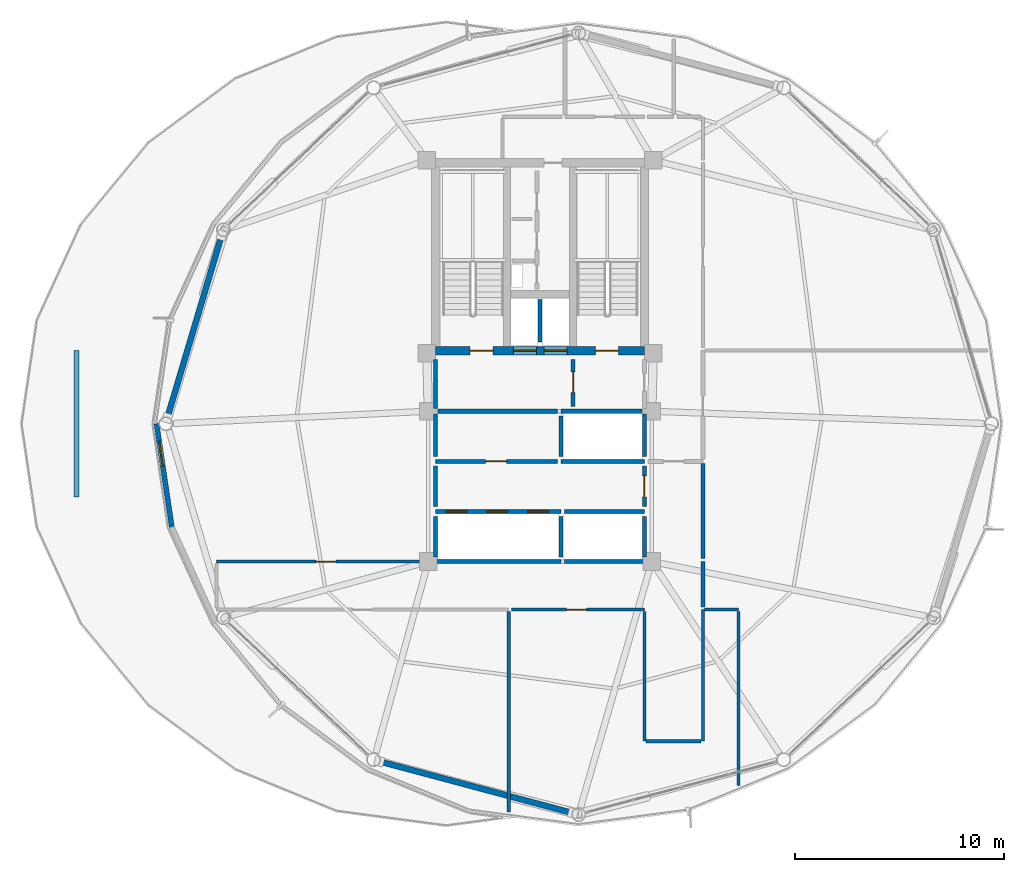
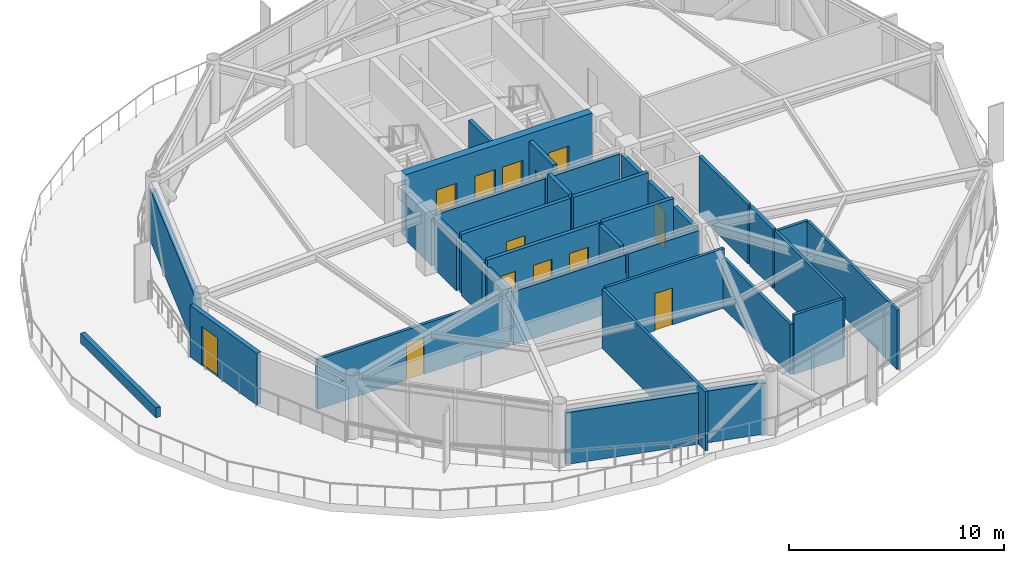
# One storey, part 20 of 25: 34 walls, 13 doors, 13 openings.
"""IFC4 building model written with IfcOpenShell, lengths in metres."""

from ifc_helpers import new_model, si_unit, direction, frame, frame_2d, origin, place, context, subcontext, project, spatial, rectangle, extrude, material, layer, layer_set, type_object, element, fill, save


model = new_model("IFC4")

# Units and contexts
model_context = context("Model", 3, precision=1e-05, world=origin(), true_north=direction((0.0, 1.0)))
body_context = subcontext(model_context, "Body", "Model", "MODEL_VIEW")
ifc_project = project(units=[si_unit("LENGTHUNIT", "METRE"), si_unit("AREAUNIT", "SQUARE_METRE"), si_unit("VOLUMEUNIT", "CUBIC_METRE"), si_unit("PLANEANGLEUNIT", "RADIAN"), si_unit("MASSUNIT", "GRAM", prefix="KILO")], contexts=[model_context])

# Site, building, storey
site_placement = place(None, origin())
site = spatial("IfcSite", under=ifc_project, at=site_placement, CompositionType="ELEMENT")
building_placement = place(site_placement, origin())
building = spatial("IfcBuilding", under=site, at=building_placement, Name="Varnakorn Sky Granary", CompositionType="ELEMENT")
storey_placement = place(building_placement, frame((0.0, 0.0, 178.800048828125)))
storey = spatial("IfcBuildingStorey", under=building, at=storey_placement, Name="L44", CompositionType="ELEMENT", Elevation=178.800048828125)

# Wall, openings, doors
ifc_material_1 = material(Name="Concrete C50/60", Category="concrete")
ifc_layer_1 = layer(ifc_material_1, 0.39990234375, Name="Concrete C50/60")
ifc_layer_set_1 = layer_set([ifc_layer_1], Name="Concrete C50/60")
wall_type_1 = type_object("IfcWallType", Name="WT-CW-SHEAR-400", PredefinedType="SHEAR", material=ifc_layer_set_1)
wall_1_placement = place(storey_placement, frame((-2.0, 3.5, 0.0), z_axis=(0.0, 0.0, 1.0), x_axis=(1.0, 0.0, 0.0)))
wall_1 = element("IfcWall", 1, at=wall_1_placement, inside=storey, type_object=wall_type_1, Name="Core South Shear Wall L44", PredefinedType="SHEAR", context=body_context, shape_type="SweptSolid", body=[
    extrude(rectangle(XDim=10.0, YDim=0.39990234375, at=frame_2d((5.0, 0.0))), origin(), (0.0, 0.0, 1.0), 3.592041015625),
])
opening_1_placement = place(wall_1_placement, frame((1.64990234375, 0.0, 0.0)))
opening_1 = element("IfcOpeningElement", 2, at=opening_1_placement, cuts=wall_1, Name="Opening FD-90", PredefinedType="OPENING", context=body_context, shape_type="SweptSolid", body=[
    extrude(rectangle(XDim=1.10009765625, YDim=2.14990234375, at=frame_2d((0.550048828125, 1.074951171875))), frame((0.0, 0.2099609375, 0.0), z_axis=(0.0, -1.0, 0.0), x_axis=(1.0, 0.0, 0.0)), (0.0, 0.0, 1.0), 0.419921875),
])
opening_2_placement = place(wall_1_placement, frame((7.64990234375, 0.0, 0.0)))
opening_2 = element("IfcOpeningElement", 3, at=opening_2_placement, cuts=wall_1, Name="Opening FD-90", PredefinedType="OPENING", context=body_context, shape_type="SweptSolid", body=[
    extrude(rectangle(XDim=1.10009765625, YDim=2.14990234375, at=frame_2d((0.550048828125, 1.074951171875))), frame((0.0, 0.2099609375, 0.0), z_axis=(0.0, -1.0, 0.0), x_axis=(1.0, 0.0, 0.0)), (0.0, 0.0, 1.0), 0.419921875),
])
opening_3_placement = place(wall_1_placement, frame((3.719970703125, 0.0, 0.0)))
opening_3 = element("IfcOpeningElement", 4, at=opening_3_placement, cuts=wall_1, Name="Opening LD-01", PredefinedType="OPENING", context=body_context, shape_type="SweptSolid", body=[
    extrude(rectangle(XDim=1.10009765625, YDim=2.199951171875, at=frame_2d((0.550048828125, 1.10009765625))), frame((0.0, 0.2099609375, 0.0), z_axis=(0.0, -1.0, 0.0), x_axis=(1.0, 0.0, 0.0)), (0.0, 0.0, 1.0), 0.419921875),
])
opening_4_placement = place(wall_1_placement, frame((5.179931640625, 0.0, 0.0)))
opening_4 = element("IfcOpeningElement", 5, at=opening_4_placement, cuts=wall_1, Name="Opening LD-01", PredefinedType="OPENING", context=body_context, shape_type="SweptSolid", body=[
    extrude(rectangle(XDim=1.10009765625, YDim=2.199951171875, at=frame_2d((0.550048828125, 1.10009765625))), frame((0.0, 0.2099609375, 0.0), z_axis=(0.0, -1.0, 0.0), x_axis=(1.0, 0.0, 0.0)), (0.0, 0.0, 1.0), 0.419921875),
])
ifc_material_2 = material(Name="Brushed Bronze Stainless Steel", Category="steel")
door_type_1 = type_object("IfcDoorType", Name="DR-LD-1100", OperationType="DOUBLE_DOOR_SLIDING", PredefinedType="DOOR", material=ifc_material_2)
door_1_placement = place(opening_3_placement, origin())
door_1 = element("IfcDoor", 6, at=door_1_placement, inside=storey, type_object=door_type_1, Name="Firefighting Lift FFL-1 Landing Door L44", OperationType="DOUBLE_DOOR_SLIDING", OverallHeight=2.199951171875, OverallWidth=1.10009765625, PredefinedType="DOOR", context=body_context, shape_type="SweptSolid", body=[
    extrude(rectangle(XDim=1.10009765625, YDim=2.199951171875, at=frame_2d((0.550048828125, 1.10009765625))), frame((0.0, 0.02490234375, 0.0), z_axis=(0.0, -1.0, 0.0), x_axis=(1.0, 0.0, 0.0)), (0.0, 0.0, 1.0), 0.050048828125),
])
fill(opening_3, door_1)
door_2_placement = place(opening_4_placement, origin())
door_2 = element("IfcDoor", 7, at=door_2_placement, inside=storey, type_object=door_type_1, Name="Firefighting Lift FFL-2 Landing Door L44", OperationType="DOUBLE_DOOR_SLIDING", OverallHeight=2.199951171875, OverallWidth=1.10009765625, PredefinedType="DOOR", context=body_context, shape_type="SweptSolid", body=[
    extrude(rectangle(XDim=1.10009765625, YDim=2.199951171875, at=frame_2d((0.550048828125, 1.10009765625))), frame((0.0, 0.02490234375, 0.0), z_axis=(0.0, -1.0, 0.0), x_axis=(1.0, 0.0, 0.0)), (0.0, 0.0, 1.0), 0.050048828125),
])
fill(opening_4, door_2)
ifc_material_3 = material(Name="Galvanised Painted Steel Leaf", Category="steel")
door_type_2 = type_object("IfcDoorType", Name="DR-STAIR-1100", OperationType="NOTDEFINED", PredefinedType="DOOR", material=ifc_material_3)
door_3_placement = place(opening_1_placement, origin())
door_3 = element("IfcDoor", 8, at=door_3_placement, inside=storey, type_object=door_type_2, Name="Stair ST-1 Protected Fire Door L44", OperationType="SINGLE_SWING_LEFT", OverallHeight=2.14990234375, OverallWidth=1.10009765625, PredefinedType="DOOR", context=body_context, shape_type="SweptSolid", body=[
    extrude(rectangle(XDim=1.10009765625, YDim=2.14990234375, at=frame_2d((0.550048828125, 1.074951171875))), frame((0.0, 0.02490234375, 0.0), z_axis=(0.0, -1.0, 0.0), x_axis=(1.0, 0.0, 0.0)), (0.0, 0.0, 1.0), 0.050048828125),
])
fill(opening_1, door_3)
door_4_placement = place(opening_2_placement, origin())
door_4 = element("IfcDoor", 9, at=door_4_placement, inside=storey, type_object=door_type_2, Name="Stair ST-2 Protected Fire Door L44", OperationType="SINGLE_SWING_RIGHT", OverallHeight=2.14990234375, OverallWidth=1.10009765625, PredefinedType="DOOR", context=body_context, shape_type="SweptSolid", body=[
    extrude(rectangle(XDim=1.10009765625, YDim=2.14990234375, at=frame_2d((0.550048828125, 1.074951171875))), frame((0.0, 0.02490234375, 0.0), z_axis=(0.0, -1.0, 0.0), x_axis=(1.0, 0.0, 0.0)), (0.0, 0.0, 1.0), 0.050048828125),
])
fill(opening_2, door_4)

# Wall, opening, door
ifc_material_4 = material(Name="Precast concrete C40/50", Category="concrete")
ifc_layer_2 = layer(ifc_material_4, 0.239990234375, Name="Precast concrete C40/50")
ifc_layer_set_2 = layer_set([ifc_layer_2], Name="Precast concrete C40/50")
wall_type_2 = type_object("IfcWallType", Name="WT-EW-BAL-260", PredefinedType="SOLIDWALL", material=ifc_layer_set_2)
wall_2_placement = place(storey_placement, frame((-14.6298828125, -4.943603515625, 0.0), z_axis=(0.0, 0.0, 1.0), x_axis=(-0.146507939816, 0.989209494279, 0.0)))
wall_2 = element("IfcWall", 10, at=wall_2_placement, inside=storey, type_object=wall_type_2, Name="Balcony Threshold Facade Wall L44-B07A", PredefinedType="SOLIDWALL", context=body_context, shape_type="SweptSolid", body=[
    extrude(rectangle(XDim=4.99755859375, YDim=0.239990234375, at=frame_2d((2.498779296875, 0.0))), origin(), (0.0, 0.0, 1.0), 2.929931640625),
])
opening_5_placement = place(wall_2_placement, frame((2.947998046875, 0.0, 0.0)))
opening_5 = element("IfcOpeningElement", 11, at=opening_5_placement, cuts=wall_2, Name="Opening BD-01", PredefinedType="OPENING", context=body_context, shape_type="SweptSolid", body=[
    extrude(rectangle(XDim=1.199951171875, YDim=2.199951171875, at=frame_2d((0.60009765625, 1.10009765625))), frame((0.0, 0.1298828125, 0.0), z_axis=(0.0, -1.0, 0.0), x_axis=(1.0, 0.0, 0.0)), (0.0, 0.0, 1.0), 0.260009765625),
])
ifc_material_5 = material(Name="Anodised Bronze Aluminium Alloy 6063-T6", Category="aluminium")
door_type_3 = type_object("IfcDoorType", Name="DR-BAL-1200", OperationType="NOTDEFINED", PredefinedType="DOOR", material=ifc_material_5)
door_5_placement = place(opening_5_placement, origin())
door_5 = element("IfcDoor", 12, at=door_5_placement, inside=storey, type_object=door_type_3, Name="Sky-Farm Balcony Access Door L44", OperationType="SINGLE_SWING_RIGHT", OverallHeight=2.199951171875, OverallWidth=1.199951171875, PredefinedType="DOOR", context=body_context, shape_type="SweptSolid", body=[
    extrude(rectangle(XDim=1.199951171875, YDim=2.199951171875, at=frame_2d((0.60009765625, 1.10009765625))), frame((0.0, 0.02490234375, 0.0), z_axis=(0.0, -1.0, 0.0), x_axis=(1.0, 0.0, 0.0)), (0.0, 0.0, 1.0), 0.050048828125),
])
fill(opening_5, door_5)

# Walls
ifc_layer_3 = layer(ifc_material_4, 0.280029296875, Name="Precast concrete C40/50")
ifc_layer_set_3 = layer_set([ifc_layer_3], Name="Precast concrete C40/50")
wall_type_3 = type_object("IfcWallType", Name="WT-EW-CRN-280", PredefinedType="SOLIDWALL", material=ifc_layer_set_3)
wall_3_placement = place(storey_placement, frame((-14.8505859375, 0.273193359375, 0.0), z_axis=(0.0, 0.0, 1.0), x_axis=(0.285461944377, 0.958390044978, 0.0)))
element("IfcWall", 13, at=wall_3_placement, inside=storey, type_object=wall_type_3, Name="Agritech Insulated Precast Facade Wall L44-P06", PredefinedType="SOLIDWALL", context=body_context, shape_type="SweptSolid", body=[
    extrude(rectangle(XDim=9.123779296875, YDim=0.280029296875, at=frame_2d((4.56201171875, 0.0))), origin(), (0.0, 0.0, 1.0), 2.929931640625),
])
wall_4_placement = place(storey_placement, frame((4.57470703125, -18.642333984375, 0.0), z_axis=(0.0, 0.0, 1.0), x_axis=(-0.966124239296, 0.258077419091, 0.0)))
element("IfcWall", 14, at=wall_4_placement, inside=storey, type_object=wall_type_3, Name="Agritech Insulated Precast Facade Wall L44-P09", PredefinedType="SOLIDWALL", context=body_context, shape_type="SweptSolid", body=[
    extrude(rectangle(XDim=9.59814453125, YDim=0.280029296875, at=frame_2d((4.799072265625, 0.0))), origin(), (0.0, 0.0, 1.0), 2.929931640625),
])

# Wall, opening, door
ifc_material_6 = material(Name="Autoclaved Aerated Concrete Blockwork", Category="masonry")
ifc_layer_4 = layer(ifc_material_6, 0.199951171875, Name="Autoclaved Aerated Concrete Blockwork")
ifc_layer_set_4 = layer_set([ifc_layer_4], Name="Autoclaved Aerated Concrete Blockwork")
wall_type_4 = type_object("IfcWallType", Name="WT-FIRE-200", PredefinedType="MOVABLE", material=ifc_layer_set_4)
wall_5_placement = place(storey_placement, frame((4.580078125, 0.830078125, 0.0), z_axis=(0.0, 0.0, 1.0), x_axis=(0.0, 1.0, 0.0)))
wall_5 = element("IfcWall", 15, at=wall_5_placement, inside=storey, type_object=wall_type_4, Name="Interior Partition Wall L44-015", PredefinedType="MOVABLE", context=body_context, shape_type="SweptSolid", body=[
    extrude(rectangle(XDim=2.239990234375, YDim=0.199951171875, at=frame_2d((1.1201171875, 0.0))), origin(), (0.0, 0.0, 1.0), 3.35986328125),
])
opening_6_placement = place(wall_5_placement, frame((0.659912109375, 0.0, 0.0)))
opening_6 = element("IfcOpeningElement", 16, at=opening_6_placement, cuts=wall_5, Name="Opening FD-60", PredefinedType="OPENING", context=body_context, shape_type="SweptSolid", body=[
    extrude(rectangle(XDim=1.0, YDim=2.10009765625, at=frame_2d((0.5, 1.050048828125))), frame((0.0, 0.10986328125, 0.0), z_axis=(0.0, -1.0, 0.0), x_axis=(1.0, 0.0, 0.0)), (0.0, 0.0, 1.0), 0.219970703125),
])
ifc_material_7 = material(Name="Acoustic Timber Fire Leaf", Category="wood")
door_type_4 = type_object("IfcDoorType", Name="DR-FD60-1000", OperationType="NOTDEFINED", PredefinedType="DOOR", material=ifc_material_7)
door_6_placement = place(opening_6_placement, origin())
door_6 = element("IfcDoor", 17, at=door_6_placement, inside=storey, type_object=door_type_4, Name="Interior Door L44-015-1", OperationType="SINGLE_SWING_LEFT", OverallHeight=2.10009765625, OverallWidth=1.0, PredefinedType="DOOR", context=body_context, shape_type="SweptSolid", body=[
    extrude(rectangle(XDim=1.0, YDim=2.10009765625, at=frame_2d((0.5, 1.050048828125))), frame((0.0, 0.02490234375, 0.0), z_axis=(0.0, -1.0, 0.0), x_axis=(1.0, 0.0, 0.0)), (0.0, 0.0, 1.0), 0.050048828125),
])
fill(opening_6, door_6)

wall_6_placement = place(storey_placement, frame((8.0, -3.969970703125, 0.0), z_axis=(0.0, 0.0, 1.0), x_axis=(0.0, 1.0, 0.0)))
wall_6 = element("IfcWall", 18, at=wall_6_placement, inside=storey, type_object=wall_type_4, Name="Interior Partition Wall L44-017", PredefinedType="MOVABLE", context=body_context, shape_type="SweptSolid", body=[
    extrude(rectangle(XDim=1.93994140625, YDim=0.199951171875, at=frame_2d((0.969970703125, 0.0))), origin(), (0.0, 0.0, 1.0), 3.011962890625),
])
opening_7_placement = place(wall_6_placement, frame((0.469970703125, 0.0, 0.0)))
opening_7 = element("IfcOpeningElement", 19, at=opening_7_placement, cuts=wall_6, Name="Opening FD-60", PredefinedType="OPENING", context=body_context, shape_type="SweptSolid", body=[
    extrude(rectangle(XDim=1.0, YDim=2.10009765625, at=frame_2d((0.5, 1.050048828125))), frame((0.0, 0.10986328125, 0.0), z_axis=(0.0, -1.0, 0.0), x_axis=(1.0, 0.0, 0.0)), (0.0, 0.0, 1.0), 0.219970703125),
])
door_7_placement = place(opening_7_placement, origin())
door_7 = element("IfcDoor", 20, at=door_7_placement, inside=storey, type_object=door_type_4, Name="Interior Door L44-017-1", OperationType="SINGLE_SWING_LEFT", OverallHeight=2.10009765625, OverallWidth=1.0, PredefinedType="DOOR", context=body_context, shape_type="SweptSolid", body=[
    extrude(rectangle(XDim=1.0, YDim=2.10009765625, at=frame_2d((0.5, 1.050048828125))), frame((0.0, 0.02490234375, 0.0), z_axis=(0.0, -1.0, 0.0), x_axis=(1.0, 0.0, 0.0)), (0.0, 0.0, 1.0), 0.050048828125),
])
fill(opening_7, door_7)

wall_7_placement = place(storey_placement, frame((-2.0, -1.800048828125, 0.0), z_axis=(0.0, 0.0, 1.0), x_axis=(1.0, 0.0, 0.0)))
wall_7 = element("IfcWall", 21, at=wall_7_placement, inside=storey, type_object=wall_type_4, Name="Interior Partition Wall L44-018", PredefinedType="MOVABLE", context=body_context, shape_type="SweptSolid", body=[
    extrude(rectangle(XDim=5.840087890625, YDim=0.199951171875, at=frame_2d((2.919921875, 0.0))), origin(), (0.0, 0.0, 1.0), 3.35986328125),
])
opening_8_placement = place(wall_7_placement, frame((2.39990234375, 0.0, 0.0)))
opening_8 = element("IfcOpeningElement", 22, at=opening_8_placement, cuts=wall_7, Name="Opening FD-60", PredefinedType="OPENING", context=body_context, shape_type="SweptSolid", body=[
    extrude(rectangle(XDim=1.0, YDim=2.10009765625, at=frame_2d((0.5, 1.050048828125))), frame((0.0, 0.10986328125, 0.0), z_axis=(0.0, -1.0, 0.0), x_axis=(1.0, 0.0, 0.0)), (0.0, 0.0, 1.0), 0.219970703125),
])
door_8_placement = place(opening_8_placement, origin())
door_8 = element("IfcDoor", 23, at=door_8_placement, inside=storey, type_object=door_type_4, Name="Interior Door L44-018-1", OperationType="SINGLE_SWING_RIGHT", OverallHeight=2.10009765625, OverallWidth=1.0, PredefinedType="DOOR", context=body_context, shape_type="SweptSolid", body=[
    extrude(rectangle(XDim=1.0, YDim=2.10009765625, at=frame_2d((0.5, 1.050048828125))), frame((0.0, 0.02490234375, 0.0), z_axis=(0.0, -1.0, 0.0), x_axis=(1.0, 0.0, 0.0)), (0.0, 0.0, 1.0), 0.050048828125),
])
fill(opening_8, door_8)

# Walls
wall_8_placement = place(storey_placement, frame((-1.8798828125, 0.60009765625, 0.0), z_axis=(0.0, 0.0, 1.0), x_axis=(1.0, 0.0, 0.0)))
element("IfcWall", 24, at=wall_8_placement, inside=storey, type_object=wall_type_4, Name="Interior Partition Wall L44-027", PredefinedType="MOVABLE", context=body_context, shape_type="SweptSolid", body=[
    extrude(rectangle(XDim=5.719970703125, YDim=0.199951171875, at=frame_2d((2.85986328125, 0.0))), origin(), (0.0, 0.0, 1.0), 3.011962890625),
])
wall_9_placement = place(storey_placement, frame((-2.0, 0.719970703125, 0.0), z_axis=(0.0, 0.0, 1.0), x_axis=(0.0, 1.0, 0.0)))
element("IfcWall", 25, at=wall_9_placement, inside=storey, type_object=wall_type_4, Name="Interior Partition Wall L44-028", PredefinedType="MOVABLE", context=body_context, shape_type="SweptSolid", body=[
    extrude(rectangle(XDim=2.35009765625, YDim=0.199951171875, at=frame_2d((1.175048828125, 0.0))), origin(), (0.0, 0.0, 1.0), 2.69189453125),
])
wall_10_placement = place(storey_placement, frame((-2.0, -3.969970703125, 0.0), z_axis=(0.0, 0.0, 1.0), x_axis=(0.0, 1.0, 0.0)))
element("IfcWall", 26, at=wall_10_placement, inside=storey, type_object=wall_type_4, Name="Interior Partition Wall L44-029", PredefinedType="MOVABLE", context=body_context, shape_type="SweptSolid", body=[
    extrude(rectangle(XDim=1.93994140625, YDim=0.199951171875, at=frame_2d((0.969970703125, 0.0))), origin(), (0.0, 0.0, 1.0), 3.011962890625),
])
wall_11_placement = place(storey_placement, frame((-2.0, -1.570068359375, 0.0), z_axis=(0.0, 0.0, 1.0), x_axis=(0.0, 1.0, 0.0)))
element("IfcWall", 27, at=wall_11_placement, inside=storey, type_object=wall_type_4, Name="Interior Partition Wall L44-030", PredefinedType="MOVABLE", context=body_context, shape_type="SweptSolid", body=[
    extrude(rectangle(XDim=2.050048828125, YDim=0.199951171875, at=frame_2d((1.02490234375, 0.0))), origin(), (0.0, 0.0, 1.0), 3.011962890625),
])

# Wall, opening, door
ifc_material_8 = material(Name="Gypsum Plasterboard on Steel Stud", Category="steel")
ifc_layer_5 = layer(ifc_material_8, 0.14990234375, Name="Gypsum Plasterboard on Steel Stud")
ifc_layer_set_5 = layer_set([ifc_layer_5], Name="Gypsum Plasterboard on Steel Stud")
wall_type_5 = type_object("IfcWallType", Name="WT-PART-150", PredefinedType="PARTITIONING", material=ifc_layer_set_5)
wall_12_placement = place(storey_placement, frame((1.635009765625, -8.89990234375, 0.0), z_axis=(0.0, 0.0, 1.0), x_axis=(1.0, 0.0, 0.0)))
wall_12 = element("IfcWall", 28, at=wall_12_placement, inside=storey, type_object=wall_type_5, Name="Interior Partition Wall L44-022", PredefinedType="PARTITIONING", context=body_context, shape_type="SweptSolid", body=[
    extrude(rectangle(XDim=6.364990234375, YDim=0.14990234375, at=frame_2d((3.1826171875, 0.0))), origin(), (0.0, 0.0, 1.0), 3.35986328125),
])
opening_9_placement = place(wall_12_placement, frame((2.639892578125, 0.0, 0.0)))
opening_9 = element("IfcOpeningElement", 29, at=opening_9_placement, cuts=wall_12, Name="Opening ID-95", PredefinedType="OPENING", context=body_context, shape_type="SweptSolid", body=[
    extrude(rectangle(XDim=0.949951171875, YDim=2.10009765625, at=frame_2d((0.47509765625, 1.050048828125))), frame((0.0, 0.0849609375, 0.0), z_axis=(0.0, -1.0, 0.0), x_axis=(1.0, 0.0, 0.0)), (0.0, 0.0, 1.0), 0.169921875),
])
ifc_material_9 = material(Name="Solid-Core Teak Veneer Leaf", Category="timber")
door_type_5 = type_object("IfcDoorType", Name="DR-INT-950", OperationType="NOTDEFINED", PredefinedType="DOOR", material=ifc_material_9)
door_9_placement = place(opening_9_placement, origin())
door_9 = element("IfcDoor", 30, at=door_9_placement, inside=storey, type_object=door_type_5, Name="Interior Door L44-022-1", OperationType="SINGLE_SWING_RIGHT", OverallHeight=2.10009765625, OverallWidth=0.949951171875, PredefinedType="DOOR", context=body_context, shape_type="SweptSolid", body=[
    extrude(rectangle(XDim=0.949951171875, YDim=2.10009765625, at=frame_2d((0.47509765625, 1.050048828125))), frame((0.0, 0.02490234375, 0.0), z_axis=(0.0, -1.0, 0.0), x_axis=(1.0, 0.0, 0.0)), (0.0, 0.0, 1.0), 0.050048828125),
])
fill(opening_9, door_9)

wall_13_placement = place(storey_placement, frame((-2.159912109375, -6.60009765625, 0.0), z_axis=(0.0, 0.0, 1.0), x_axis=(-1.0, 0.0, 0.0)))
wall_13 = element("IfcWall", 31, at=wall_13_placement, inside=storey, type_object=wall_type_5, Name="Interior Partition Wall L44-023", PredefinedType="PARTITIONING", context=body_context, shape_type="SweptSolid", body=[
    extrude(rectangle(XDim=10.340087890625, YDim=0.14990234375, at=frame_2d((5.169921875, 0.0))), origin(), (0.0, 0.0, 1.0), 2.842041015625),
])
opening_10_placement = place(wall_13_placement, frame((4.614990234375, 0.0, 0.0)))
opening_10 = element("IfcOpeningElement", 32, at=opening_10_placement, cuts=wall_13, Name="Opening ID-95", PredefinedType="OPENING", context=body_context, shape_type="SweptSolid", body=[
    extrude(rectangle(XDim=0.949951171875, YDim=2.10009765625, at=frame_2d((0.47509765625, 1.050048828125))), frame((0.0, 0.0849609375, 0.0), z_axis=(0.0, -1.0, 0.0), x_axis=(1.0, 0.0, 0.0)), (0.0, 0.0, 1.0), 0.169921875),
])
door_10_placement = place(opening_10_placement, origin())
door_10 = element("IfcDoor", 33, at=door_10_placement, inside=storey, type_object=door_type_5, Name="Interior Door L44-023-1", OperationType="SINGLE_SWING_LEFT", OverallHeight=2.10009765625, OverallWidth=0.949951171875, PredefinedType="DOOR", context=body_context, shape_type="SweptSolid", body=[
    extrude(rectangle(XDim=0.949951171875, YDim=2.10009765625, at=frame_2d((0.47509765625, 1.050048828125))), frame((0.0, 0.02490234375, 0.0), z_axis=(0.0, -1.0, 0.0), x_axis=(1.0, 0.0, 0.0)), (0.0, 0.0, 1.0), 0.050048828125),
])
fill(opening_10, door_10)

# Walls
wall_14_placement = place(storey_placement, frame((1.5, -8.985107421875, 0.0), z_axis=(0.0, 0.0, 1.0), x_axis=(0.0, -1.0, 0.0)))
element("IfcWall", 34, at=wall_14_placement, inside=storey, type_object=wall_type_5, Name="Interior Partition Wall L44-032", PredefinedType="PARTITIONING", context=body_context, shape_type="SweptSolid", body=[
    extrude(rectangle(XDim=9.593994140625, YDim=0.14990234375, at=frame_2d((4.796875, 0.0))), origin(), (0.0, 0.0, 1.0), 3.35986328125),
])
wall_15_placement = place(storey_placement, frame((8.0, -8.985107421875, 0.0), z_axis=(0.0, 0.0, 1.0), x_axis=(0.0, -1.0, 0.0)))
element("IfcWall", 35, at=wall_15_placement, inside=storey, type_object=wall_type_5, Name="Interior Partition Wall L44-033", PredefinedType="PARTITIONING", context=body_context, shape_type="SweptSolid", body=[
    extrude(rectangle(XDim=6.21484375, YDim=0.14990234375, at=frame_2d((3.107421875, 0.0))), origin(), (0.0, 0.0, 1.0), 2.842041015625),
])
wall_16_placement = place(storey_placement, frame((10.800048828125, -15.199951171875, 0.0), z_axis=(0.0, 0.0, 1.0), x_axis=(0.0, 1.0, 0.0)))
element("IfcWall", 36, at=wall_16_placement, inside=storey, type_object=wall_type_5, Name="Interior Partition Wall L44-034", PredefinedType="PARTITIONING", context=body_context, shape_type="SweptSolid", body=[
    extrude(rectangle(XDim=6.300048828125, YDim=0.14990234375, at=frame_2d((3.14990234375, 0.0))), origin(), (0.0, 0.0, 1.0), 3.35986328125),
])
wall_17_placement = place(storey_placement, frame((8.0849609375, -15.199951171875, 0.0), z_axis=(0.0, 0.0, 1.0), x_axis=(1.0, 0.0, 0.0)))
element("IfcWall", 37, at=wall_17_placement, inside=storey, type_object=wall_type_5, Name="Interior Partition Wall L44-035", PredefinedType="PARTITIONING", context=body_context, shape_type="SweptSolid", body=[
    extrude(rectangle(XDim=2.630126953125, YDim=0.14990234375, at=frame_2d((1.31494140625, 0.0))), origin(), (0.0, 0.0, 1.0), 3.35986328125),
])
wall_18_placement = place(storey_placement, frame((10.885009765625, -8.89990234375, 0.0), z_axis=(0.0, 0.0, 1.0), x_axis=(1.0, 0.0, 0.0)))
element("IfcWall", 38, at=wall_18_placement, inside=storey, type_object=wall_type_5, Name="Interior Partition Wall L44-036", PredefinedType="PARTITIONING", context=body_context, shape_type="SweptSolid", body=[
    extrude(rectangle(XDim=1.614990234375, YDim=0.14990234375, at=frame_2d((0.8076171875, 0.0))), origin(), (0.0, 0.0, 1.0), 3.35986328125),
])
wall_19_placement = place(storey_placement, frame((12.5, -8.985107421875, 0.0), z_axis=(0.0, 0.0, 1.0), x_axis=(0.0, -1.0, 0.0)))
element("IfcWall", 39, at=wall_19_placement, inside=storey, type_object=wall_type_5, Name="Interior Partition Wall L44-037", PredefinedType="PARTITIONING", context=body_context, shape_type="SweptSolid", body=[
    extrude(rectangle(XDim=8.3349609375, YDim=0.14990234375, at=frame_2d((4.16748046875, 0.0))), origin(), (0.0, 0.0, 1.0), 3.35986328125),
])
ifc_material_10 = material(Name="Moisture-Resistant Gypsum on Stud", Category="gypsum")
ifc_layer_6 = layer(ifc_material_10, 0.179931640625, Name="Moisture-Resistant Gypsum on Stud")
ifc_layer_set_6 = layer_set([ifc_layer_6], Name="Moisture-Resistant Gypsum on Stud")
wall_type_6 = type_object("IfcWallType", Name="WT-PLUMB-180", PredefinedType="PLUMBINGWALL", material=ifc_layer_set_6)
wall_20_placement = place(storey_placement, frame((10.800048828125, -8.764892578125, 0.0), z_axis=(0.0, 0.0, 1.0), x_axis=(0.0, 1.0, 0.0)))
element("IfcWall", 40, at=wall_20_placement, inside=storey, type_object=wall_type_6, Name="Interior Partition Wall L44-042", PredefinedType="PLUMBINGWALL", context=body_context, shape_type="SweptSolid", body=[
    extrude(rectangle(XDim=2.164794921875, YDim=0.179931640625, at=frame_2d((1.08251953125, 0.0))), origin(), (0.0, 0.0, 1.0), 3.35986328125),
])
wall_21_placement = place(storey_placement, frame((10.800048828125, -6.449951171875, 0.0), z_axis=(0.0, 0.0, 1.0), x_axis=(0.0, 1.0, 0.0)))
element("IfcWall", 41, at=wall_21_placement, inside=storey, type_object=wall_type_6, Name="Interior Partition Wall L44-043", PredefinedType="PLUMBINGWALL", context=body_context, shape_type="SweptSolid", body=[
    extrude(rectangle(XDim=4.5400390625, YDim=0.179931640625, at=frame_2d((2.27001953125, 0.0))), origin(), (0.0, 0.0, 1.0), 3.35986328125),
])
ifc_layer_7 = layer(ifc_material_6, 0.199951171875, Name="Autoclaved Aerated Concrete Blockwork")
ifc_layer_set_7 = layer_set([ifc_layer_7], Name="Autoclaved Aerated Concrete Blockwork")
wall_type_7 = type_object("IfcWallType", Name="WT-SHAFT-200", PredefinedType="SOLIDWALL", material=ifc_layer_set_7)
wall_22_placement = place(storey_placement, frame((3.0, 3.919921875, 0.0), z_axis=(0.0, 0.0, 1.0), x_axis=(0.0, 1.0, 0.0)))
element("IfcWall", 42, at=wall_22_placement, inside=storey, type_object=wall_type_7, Name="Interior Partition Wall L44-001", PredefinedType="SOLIDWALL", context=body_context, shape_type="SweptSolid", body=[
    extrude(rectangle(XDim=2.030029296875, YDim=0.199951171875, at=frame_2d((1.01513671875, 0.0))), origin(), (0.0, 0.0, 1.0), 3.35986328125),
])
wall_23_placement = place(storey_placement, frame((4.0, 0.60009765625, 0.0), z_axis=(0.0, 0.0, 1.0), x_axis=(1.0, 0.0, 0.0)))
element("IfcWall", 43, at=wall_23_placement, inside=storey, type_object=wall_type_7, Name="Interior Partition Wall L44-003", PredefinedType="SOLIDWALL", context=body_context, shape_type="SweptSolid", body=[
    extrude(rectangle(XDim=3.8798828125, YDim=0.199951171875, at=frame_2d((1.93994140625, 0.0))), origin(), (0.0, 0.0, 1.0), 3.011962890625),
])
wall_24_placement = place(storey_placement, frame((4.0, -1.800048828125, 0.0), z_axis=(0.0, 0.0, 1.0), x_axis=(1.0, 0.0, 0.0)))
element("IfcWall", 44, at=wall_24_placement, inside=storey, type_object=wall_type_7, Name="Interior Partition Wall L44-004", PredefinedType="SOLIDWALL", context=body_context, shape_type="SweptSolid", body=[
    extrude(rectangle(XDim=4.0, YDim=0.199951171875, at=frame_2d((2.0, 0.0))), origin(), (0.0, 0.0, 1.0), 3.35986328125),
])
wall_25_placement = place(storey_placement, frame((4.0, -1.570068359375, 0.0), z_axis=(0.0, 0.0, 1.0), x_axis=(0.0, 1.0, 0.0)))
element("IfcWall", 45, at=wall_25_placement, inside=storey, type_object=wall_type_7, Name="Interior Partition Wall L44-005", PredefinedType="SOLIDWALL", context=body_context, shape_type="SweptSolid", body=[
    extrude(rectangle(XDim=1.940185546875, YDim=0.199951171875, at=frame_2d((0.97021484375, 0.0))), origin(), (0.0, 0.0, 1.0), 3.35986328125),
])
wall_26_placement = place(storey_placement, frame((8.0, -1.570068359375, 0.0), z_axis=(0.0, 0.0, 1.0), x_axis=(0.0, 1.0, 0.0)))
element("IfcWall", 46, at=wall_26_placement, inside=storey, type_object=wall_type_7, Name="Interior Partition Wall L44-006", PredefinedType="SOLIDWALL", context=body_context, shape_type="SweptSolid", body=[
    extrude(rectangle(XDim=2.050048828125, YDim=0.199951171875, at=frame_2d((1.02490234375, 0.0))), origin(), (0.0, 0.0, 1.0), 3.011962890625),
])

# Wall, openings, doors
wall_27_placement = place(storey_placement, frame((-2.0, -4.199951171875, 0.0), z_axis=(0.0, 0.0, 1.0), x_axis=(1.0, 0.0, 0.0)))
wall_27 = element("IfcWall", 47, at=wall_27_placement, inside=storey, type_object=wall_type_7, Name="Interior Partition Wall L44-007", PredefinedType="SOLIDWALL", context=body_context, shape_type="SweptSolid", body=[
    extrude(rectangle(XDim=6.0, YDim=0.199951171875, at=frame_2d((3.0, 0.0))), origin(), (0.0, 0.0, 1.0), 3.35986328125),
])
opening_11_placement = place(wall_27_placement, frame((0.5, 0.0, 0.0)))
opening_11 = element("IfcOpeningElement", 48, at=opening_11_placement, cuts=wall_27, Name="Opening LD-03", PredefinedType="OPENING", context=body_context, shape_type="SweptSolid", body=[
    extrude(rectangle(XDim=1.0, YDim=2.199951171875, at=frame_2d((0.5, 1.10009765625))), frame((0.0, 0.10986328125, 0.0), z_axis=(0.0, -1.0, 0.0), x_axis=(1.0, 0.0, 0.0)), (0.0, 0.0, 1.0), 0.219970703125),
])
opening_12_placement = place(wall_27_placement, frame((2.449951171875, 0.0, 0.0)))
opening_12 = element("IfcOpeningElement", 49, at=opening_12_placement, cuts=wall_27, Name="Opening LD-03", PredefinedType="OPENING", context=body_context, shape_type="SweptSolid", body=[
    extrude(rectangle(XDim=1.0, YDim=2.199951171875, at=frame_2d((0.5, 1.10009765625))), frame((0.0, 0.10986328125, 0.0), z_axis=(0.0, -1.0, 0.0), x_axis=(1.0, 0.0, 0.0)), (0.0, 0.0, 1.0), 0.219970703125),
])
opening_13_placement = place(wall_27_placement, frame((4.39990234375, 0.0, 0.0)))
opening_13 = element("IfcOpeningElement", 50, at=opening_13_placement, cuts=wall_27, Name="Opening LD-03", PredefinedType="OPENING", context=body_context, shape_type="SweptSolid", body=[
    extrude(rectangle(XDim=1.0, YDim=2.199951171875, at=frame_2d((0.5, 1.10009765625))), frame((0.0, 0.10986328125, 0.0), z_axis=(0.0, -1.0, 0.0), x_axis=(1.0, 0.0, 0.0)), (0.0, 0.0, 1.0), 0.219970703125),
])
door_type_6 = type_object("IfcDoorType", Name="DR-LD-1000", OperationType="DOUBLE_DOOR_SLIDING", PredefinedType="DOOR", material=ifc_material_2)
door_11_placement = place(opening_11_placement, origin())
door_11 = element("IfcDoor", 51, at=door_11_placement, inside=storey, type_object=door_type_6, Name="Passenger Lift PL-M1 Sliding Landing Door L44", OperationType="DOUBLE_DOOR_SLIDING", OverallHeight=2.199951171875, OverallWidth=1.0, PredefinedType="DOOR", context=body_context, shape_type="SweptSolid", body=[
    extrude(rectangle(XDim=1.0, YDim=2.199951171875, at=frame_2d((0.5, 1.10009765625))), frame((0.0, 0.02490234375, 0.0), z_axis=(0.0, -1.0, 0.0), x_axis=(1.0, 0.0, 0.0)), (0.0, 0.0, 1.0), 0.050048828125),
])
fill(opening_11, door_11)
door_12_placement = place(opening_12_placement, origin())
door_12 = element("IfcDoor", 52, at=door_12_placement, inside=storey, type_object=door_type_6, Name="Passenger Lift PL-M2 Sliding Landing Door L44", OperationType="DOUBLE_DOOR_SLIDING", OverallHeight=2.199951171875, OverallWidth=1.0, PredefinedType="DOOR", context=body_context, shape_type="SweptSolid", body=[
    extrude(rectangle(XDim=1.0, YDim=2.199951171875, at=frame_2d((0.5, 1.10009765625))), frame((0.0, 0.02490234375, 0.0), z_axis=(0.0, -1.0, 0.0), x_axis=(1.0, 0.0, 0.0)), (0.0, 0.0, 1.0), 0.050048828125),
])
fill(opening_12, door_12)
door_13_placement = place(opening_13_placement, origin())
door_13 = element("IfcDoor", 53, at=door_13_placement, inside=storey, type_object=door_type_6, Name="Passenger Lift PL-M3 Sliding Landing Door L44", OperationType="DOUBLE_DOOR_SLIDING", OverallHeight=2.199951171875, OverallWidth=1.0, PredefinedType="DOOR", context=body_context, shape_type="SweptSolid", body=[
    extrude(rectangle(XDim=1.0, YDim=2.199951171875, at=frame_2d((0.5, 1.10009765625))), frame((0.0, 0.02490234375, 0.0), z_axis=(0.0, -1.0, 0.0), x_axis=(1.0, 0.0, 0.0)), (0.0, 0.0, 1.0), 0.050048828125),
])
fill(opening_13, door_13)

# Walls
wall_28_placement = place(storey_placement, frame((-2.0, -6.60009765625, 0.0), z_axis=(0.0, 0.0, 1.0), x_axis=(1.0, 0.0, 0.0)))
element("IfcWall", 54, at=wall_28_placement, inside=storey, type_object=wall_type_7, Name="Interior Partition Wall L44-008", PredefinedType="SOLIDWALL", context=body_context, shape_type="SweptSolid", body=[
    extrude(rectangle(XDim=6.0, YDim=0.199951171875, at=frame_2d((3.0, 0.0))), origin(), (0.0, 0.0, 1.0), 3.011962890625),
])
wall_29_placement = place(storey_placement, frame((-2.0, -6.3701171875, 0.0), z_axis=(0.0, 0.0, 1.0), x_axis=(0.0, 1.0, 0.0)))
element("IfcWall", 55, at=wall_29_placement, inside=storey, type_object=wall_type_7, Name="Interior Partition Wall L44-009", PredefinedType="SOLIDWALL", context=body_context, shape_type="SweptSolid", body=[
    extrude(rectangle(XDim=1.940185546875, YDim=0.199951171875, at=frame_2d((0.97021484375, 0.0))), origin(), (0.0, 0.0, 1.0), 3.011962890625),
])
wall_30_placement = place(storey_placement, frame((4.159912109375, -4.199951171875, 0.0), z_axis=(0.0, 0.0, 1.0), x_axis=(1.0, 0.0, 0.0)))
element("IfcWall", 56, at=wall_30_placement, inside=storey, type_object=wall_type_7, Name="Interior Partition Wall L44-010", PredefinedType="SOLIDWALL", context=body_context, shape_type="SweptSolid", body=[
    extrude(rectangle(XDim=3.840087890625, YDim=0.199951171875, at=frame_2d((1.919921875, 0.0))), origin(), (0.0, 0.0, 1.0), 3.35986328125),
])
wall_31_placement = place(storey_placement, frame((4.159912109375, -6.60009765625, 0.0), z_axis=(0.0, 0.0, 1.0), x_axis=(1.0, 0.0, 0.0)))
element("IfcWall", 57, at=wall_31_placement, inside=storey, type_object=wall_type_7, Name="Interior Partition Wall L44-011", PredefinedType="SOLIDWALL", context=body_context, shape_type="SweptSolid", body=[
    extrude(rectangle(XDim=3.840087890625, YDim=0.199951171875, at=frame_2d((1.919921875, 0.0))), origin(), (0.0, 0.0, 1.0), 3.011962890625),
])
wall_32_placement = place(storey_placement, frame((4.0, -6.3701171875, 0.0), z_axis=(0.0, 0.0, 1.0), x_axis=(0.0, 1.0, 0.0)))
element("IfcWall", 58, at=wall_32_placement, inside=storey, type_object=wall_type_7, Name="Interior Partition Wall L44-012", PredefinedType="SOLIDWALL", context=body_context, shape_type="SweptSolid", body=[
    extrude(rectangle(XDim=1.940185546875, YDim=0.199951171875, at=frame_2d((0.97021484375, 0.0))), origin(), (0.0, 0.0, 1.0), 3.35986328125),
])
wall_33_placement = place(storey_placement, frame((8.0, -6.3701171875, 0.0), z_axis=(0.0, 0.0, 1.0), x_axis=(0.0, 1.0, 0.0)))
element("IfcWall", 59, at=wall_33_placement, inside=storey, type_object=wall_type_7, Name="Interior Partition Wall L44-013", PredefinedType="SOLIDWALL", context=body_context, shape_type="SweptSolid", body=[
    extrude(rectangle(XDim=1.940185546875, YDim=0.199951171875, at=frame_2d((0.97021484375, 0.0))), origin(), (0.0, 0.0, 1.0), 3.011962890625),
])
ifc_layer_8 = layer(ifc_material_4, 0.239990234375, Name="Precast concrete C40/50")
ifc_layer_set_8 = layer_set([ifc_layer_8], Name="Precast concrete C40/50")
wall_type_8 = type_object("IfcWallType", Name="WT-WP-PLN-240", PredefinedType="PARAPET", material=ifc_layer_set_8)
wall_34_placement = place(storey_placement, frame((-19.199951171875, -3.5, 0.0), z_axis=(0.0, 0.0, 1.0), x_axis=(0.0, 1.0, 0.0)))
element("IfcWall", 60, at=wall_34_placement, inside=storey, type_object=wall_type_8, Name="Transfer Shoulder Sky-Garden Planter Bed PLANTER L44", PredefinedType="PARAPET", context=body_context, shape_type="SweptSolid", body=[
    extrude(rectangle(XDim=7.0, YDim=0.239990234375, at=frame_2d((3.5, 0.0))), origin(), (0.0, 0.0, 1.0), 0.550048828125),
])

save(model, "model.ifc")
